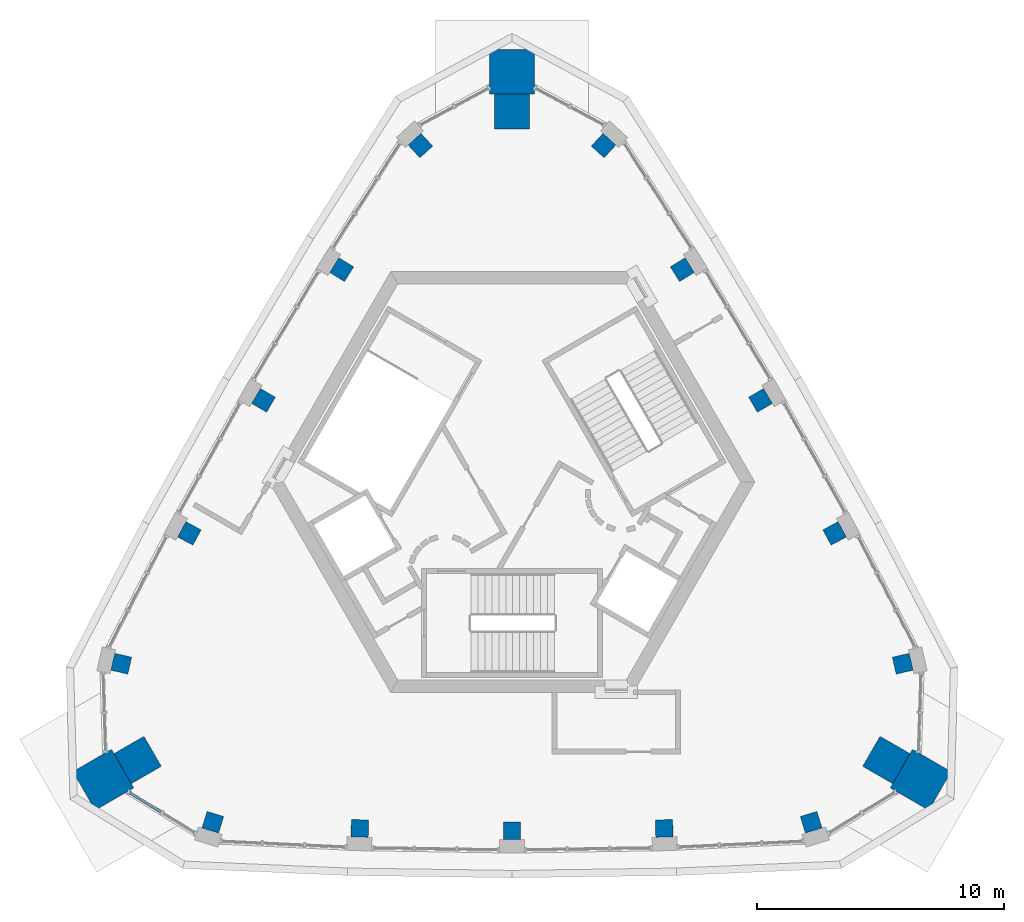
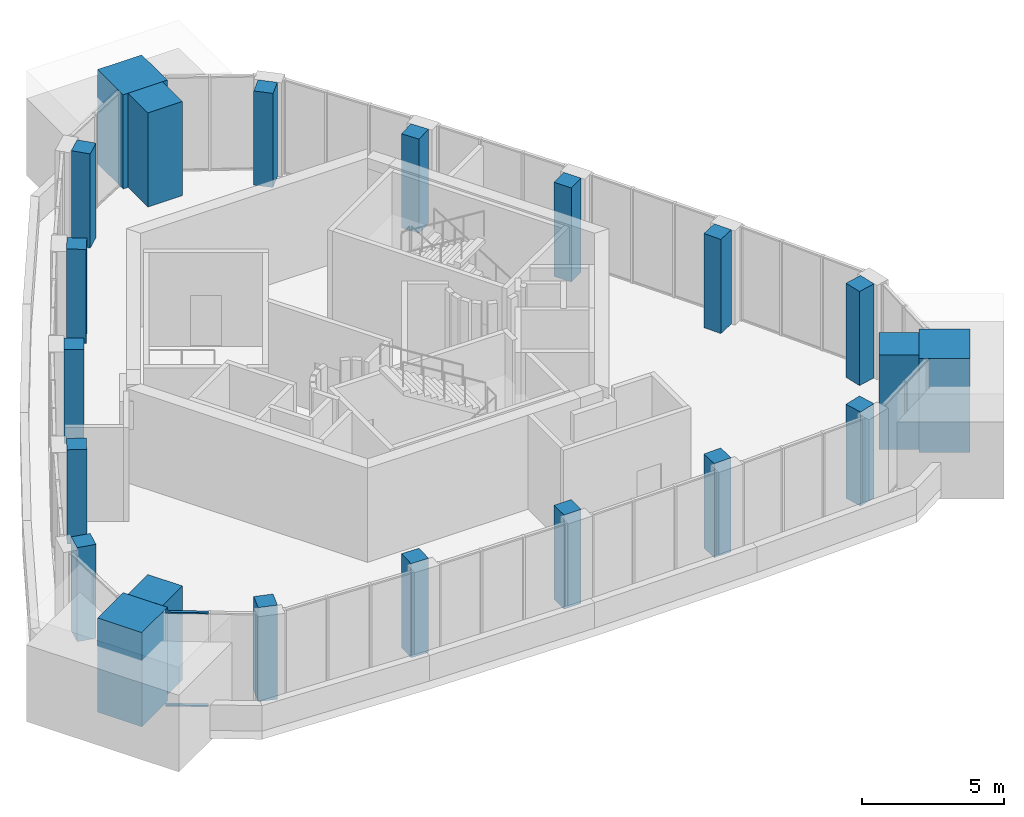
# One storey, part 1 of 9: 21 columns, 2 members, 1 element without a shape of its own.
"""IFC4 building model written with IfcOpenShell, lengths in metres."""

from ifc_helpers import new_model, si_unit, direction, frame, origin, origin_2d, place, context, subcontext, project, spatial, rectangle, extrude, material, material_profile, profile_set, type_object, element, aggregate, save


model = new_model("IFC4")

# Units and contexts
model_context = context("Model", 3, precision=1e-05, world=origin(), true_north=direction((0.0, 1.0)))
body_context = subcontext(model_context, "Body", "Model", "MODEL_VIEW")
ifc_project = project(units=[si_unit("LENGTHUNIT", "METRE"), si_unit("AREAUNIT", "SQUARE_METRE"), si_unit("VOLUMEUNIT", "CUBIC_METRE"), si_unit("PLANEANGLEUNIT", "RADIAN"), si_unit("MASSUNIT", "GRAM", prefix="KILO")], contexts=[model_context])

# Site, building, storey
site_placement = place(None, origin())
site = spatial("IfcSite", under=ifc_project, at=site_placement, CompositionType="ELEMENT")
building_placement = place(site_placement, origin())
building = spatial("IfcBuilding", under=site, at=building_placement, Name="Entoto Arch Interchange Tower", CompositionType="ELEMENT")
storey_placement = place(building_placement, frame((0.0, 0.0, 358.39990234375)))
storey = spatial("IfcBuildingStorey", under=building, at=storey_placement, Name="L84", CompositionType="ELEMENT", Elevation=358.39990234375)

# Columns
ifc_material_1 = material(Name="Concrete C40/50", Category="concrete")
ifc_material_profile_1 = material_profile(ifc_material_1, rectangle(XDim=0.699951171875, YDim=0.699951171875, at=origin_2d()))
ifc_profile_set_1 = profile_set([ifc_material_profile_1], Name="Concrete C40/50")
column_type_1 = type_object("IfcColumnType", Name="Column RC 700x700 C40/50", PredefinedType="COLUMN", material=ifc_profile_set_1)
for number, where, z_axis, x_axis, name in (
    (1, (-12.093017578125, -11.256103515625, 0.0), (0.0, 0.0, 1.0), (-0.955138906924, 0.296158181517, 0.0), "Column S01 L84"),
    (2, (-6.152099609375, -11.50390625, 0.0), (0.0, 0.0, 1.0), (-0.999516921611, 0.03107930843, 0.0), "Column S02 L84"),
    (3, (0.0, -11.60009765625, 0.0), (0.0, 0.0, 1.0), (1.0, 0.0, 0.0), "Column S03 L84"),
    (4, (6.152099609375, -11.50390625, 0.0), (0.0, 0.0, 1.0), (0.999516921611, 0.03107930843, 0.0), "Column S04 L84"),
    (5, (12.093017578125, -11.256103515625, 0.0), (0.0, 0.0, 1.0), (0.955138906924, 0.296158181517, 0.0), "Column S05 L84"),
    (6, (15.794921875, -4.845947265625, 0.0), (0.0, 0.0, 1.0), (-0.22108894473, 0.975253648298, 0.0), "Column NE01 L84"),
    (7, (13.041015625, 0.4208984375, 0.0), (0.0, 0.0, 1.0), (-0.47282761119, 0.881154952376, 0.0), "Column NE02 L84"),
    (8, (10.0458984375, 5.800048828125, 0.0), (0.0, 0.0, 1.0), (-0.5, 0.866025403784, 0.0), "Column NE03 L84"),
    (9, (6.885009765625, 11.0830078125, 0.0), (0.0, 0.0, 1.0), (-0.526688767833, 0.850058199089, 0.0), "Column NE04 L84"),
    (10, (3.700927734375, 16.10107421875, 0.0), (0.0, 0.0, 1.0), (-0.734049962194, 0.679095466781, 0.0), "Column NE05 L84"),
    (11, (-3.700927734375, 16.10107421875, 0.0), (0.0, 0.0, 1.0), (0.734049962194, 0.679095466781, 0.0), "Column NW01 L84"),
    (12, (-6.885009765625, 11.0830078125, 0.0), (0.0, 0.0, 1.0), (0.526688767833, 0.850058199089, 0.0), "Column NW02 L84"),
    (13, (-10.0458984375, 5.800048828125, 0.0), (0.0, 0.0, 1.0), (0.5, 0.866025403784, 0.0), "Column NW03 L84"),
    (14, (-13.041015625, 0.4208984375, 0.0), (0.0, 0.0, 1.0), (0.47282761119, 0.881154952376, 0.0), "Column NW04 L84"),
    (15, (-15.794921875, -4.845947265625, 0.0), (0.0, 0.0, 1.0), (0.22108894473, 0.975253648298, 0.0), "Column NW05 L84"),
):
    element("IfcColumn", number, at=place(storey_placement, frame(where, z_axis=z_axis, x_axis=x_axis)), inside=storey, type_object=column_type_1, Name=name, PredefinedType="COLUMN", context=body_context, shape_type="SweptSolid", body=[
        extrude(rectangle(XDim=0.699951171875, YDim=0.699951171875, at=origin_2d()), origin(), (0.0, 0.0, 1.0), 4.050048828125),
    ])
ifc_material_2 = material(Name="Precast concrete C40/50", Category="concrete")
ifc_material_profile_2 = material_profile(ifc_material_2, rectangle(XDim=1.800048828125, YDim=1.800048828125, at=origin_2d()))
ifc_profile_set_2 = profile_set([ifc_material_profile_2], Name="Precast concrete C40/50")
column_type_2 = type_object("IfcColumnType", Name="Frame post RC 1800x1800 precast C40/50", PredefinedType="COLUMN", material=ifc_profile_set_2)
for number, where, z_axis, x_axis, name in (
    (16, (16.52001953125, -9.5380859375, 0.0), (0.0, 0.0, 1.0), (-0.866025403784, 0.5, 0.0), "Frame post SE L84"),
    (17, (0.0, 19.075927734375, 0.0), (0.0, 0.0, 1.0), (0.0, 1.0, 0.0), "Frame post N L84"),
    (18, (-16.52001953125, -9.5380859375, 0.0), (0.0, 0.0, 1.0), (0.866025403784, 0.5, 0.0), "Frame post SW L84"),
):
    element("IfcColumn", number, at=place(storey_placement, frame(where, z_axis=z_axis, x_axis=x_axis)), inside=storey, type_object=column_type_2, Name=name, PredefinedType="COLUMN", context=body_context, shape_type="SweptSolid", body=[
        extrude(rectangle(XDim=1.800048828125, YDim=1.800048828125, at=origin_2d()), origin(), (0.0, 0.0, 1.0), 4.050048828125),
    ])
ifc_material_profile_3 = material_profile(ifc_material_1, rectangle(XDim=1.39990234375, YDim=1.39990234375, at=origin_2d()))
ifc_profile_set_3 = profile_set([ifc_material_profile_3], Name="Concrete C40/50")
column_type_3 = type_object("IfcColumnType", Name="Mega column RC 1400x1400 C40/50", PredefinedType="COLUMN", material=ifc_profile_set_3)
for number, where, z_axis, x_axis, name in (
    (19, (15.134033203125, -8.738037109375, 0.0), (0.0, 0.0, 1.0), (-0.866025403784, 0.5, 0.0), "Corner mega column SE1 L84"),
    (20, (0.0, 17.47607421875, 0.0), (0.0, 0.0, 1.0), (0.0, 1.0, 0.0), "Corner mega column N1 L84"),
    (21, (-15.134033203125, -8.738037109375, 0.0), (0.0, 0.0, 1.0), (0.866025403784, 0.5, 0.0), "Corner mega column SW1 L84"),
):
    element("IfcColumn", number, at=place(storey_placement, frame(where, z_axis=z_axis, x_axis=x_axis)), inside=storey, type_object=column_type_3, Name=name, PredefinedType="COLUMN", context=body_context, shape_type="SweptSolid", body=[
        extrude(rectangle(XDim=1.39990234375, YDim=1.39990234375, at=origin_2d()), origin(), (0.0, 0.0, 1.0), 4.050048828125),
    ])

# Curtain wall, members
ifc_material_3 = material(Name="Aluminium, anodised", Category="aluminium")
curtain_wall_type = type_object("IfcCurtainWallType", Name="CURTAIN WALL CROWN LANTERN", PredefinedType="NOTDEFINED", material=ifc_material_3)
curtain_wall_placement = place(storey_placement, origin())
curtain_wall = element("IfcCurtainWall", 22, at=curtain_wall_placement, inside=storey, type_object=curtain_wall_type, Name="Crown Lantern glazing SW-02 L84", PredefinedType="NOTDEFINED")
ifc_material_profile_4 = material_profile(ifc_material_3, rectangle(XDim=0.1201171875, YDim=0.06005859375, at=origin_2d()))
ifc_profile_set_4 = profile_set([ifc_material_profile_4], Name="Aluminium, anodised")
member_type = type_object("IfcMemberType", Name="TRANSOM CROWN LANTERN 60x120", PredefinedType="USERDEFINED", material=ifc_profile_set_4)
member_1_placement = place(storey_placement, frame((-15.4619140625, -10.047119140625, 0.030029296875), z_axis=(0.850054789348, -0.526694271002, 0.0), x_axis=(0.526694271002, 0.850054789348, 0.0)))
member_1 = element("IfcMember", 23, at=member_1_placement, type_object=member_type, Name="CWL transom 1.1", ObjectType="TRANSOM", PredefinedType="USERDEFINED", context=body_context, shape_type="SweptSolid", body=[
    extrude(rectangle(XDim=0.1201171875, YDim=0.06005859375, at=origin_2d()), origin(), (0.0, 0.0, 1.0), 1.50927734375),
])
member_2_placement = place(storey_placement, frame((-15.4619140625, -10.047119140625, 4.02001953125), z_axis=(0.850054789348, -0.526694271002, 0.0), x_axis=(0.526694271002, 0.850054789348, 0.0)))
member_2 = element("IfcMember", 24, at=member_2_placement, type_object=member_type, Name="CWL transom 1.2", ObjectType="TRANSOM", PredefinedType="USERDEFINED", context=body_context, shape_type="SweptSolid", body=[
    extrude(rectangle(XDim=0.1201171875, YDim=0.06005859375, at=origin_2d()), origin(), (0.0, 0.0, 1.0), 1.50927734375),
])
aggregate(curtain_wall, [member_1, member_2])

save(model, "model.ifc")
